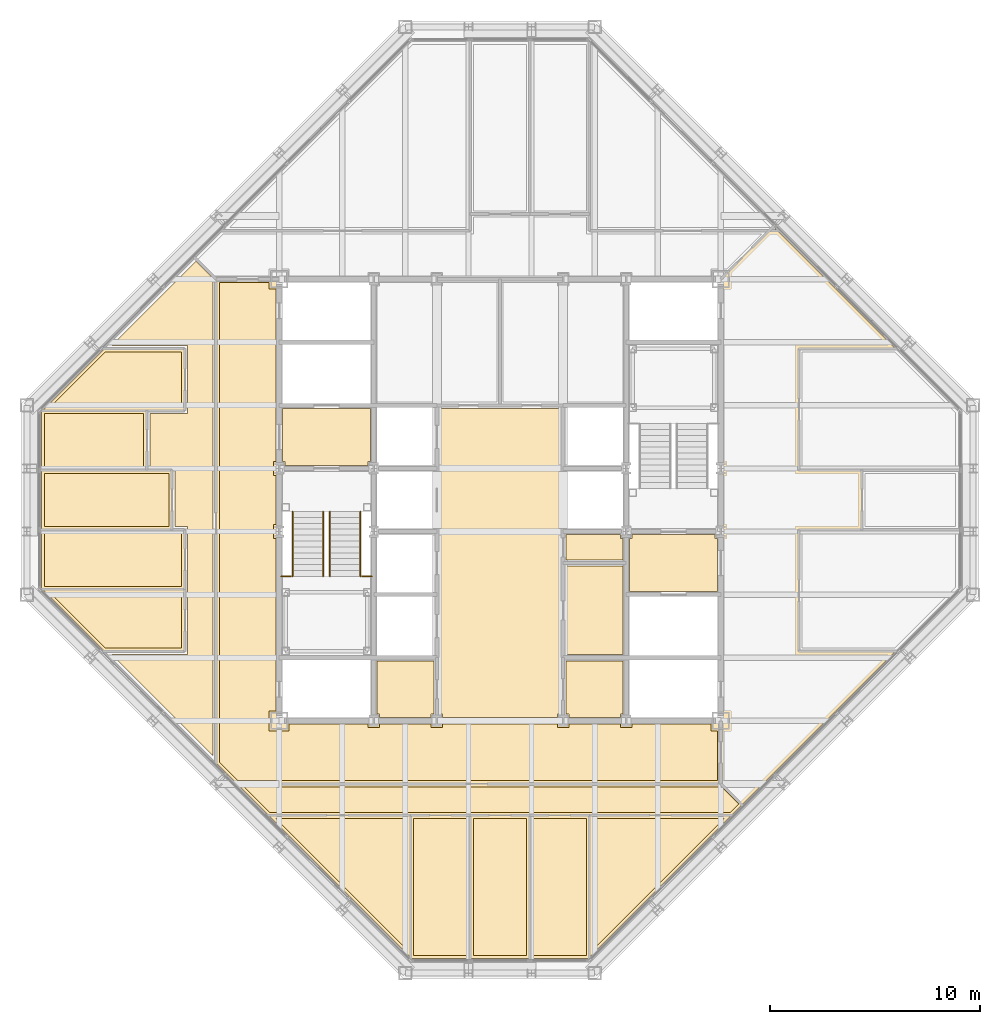
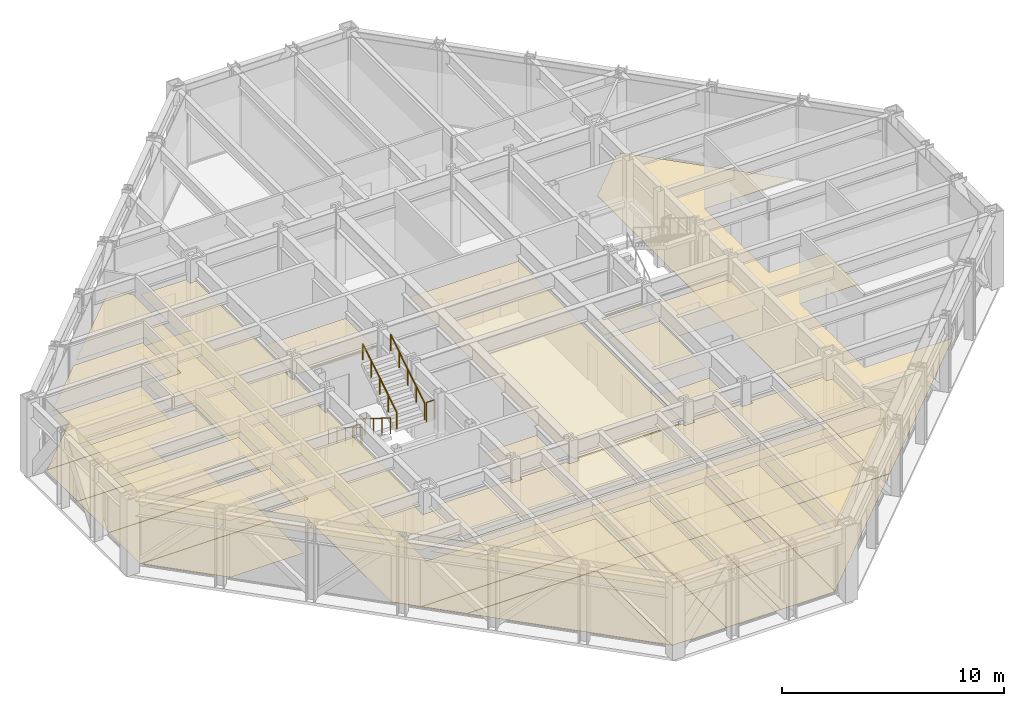
# One storey, part 14 of 15: 32 coverings, 6 railings.
"""IFC4 building model written with IfcOpenShell, lengths in metres."""

from ifc_helpers import new_model, si_unit, direction, frame, origin, origin_2d, place, context, subcontext, project, spatial, polyline, circle, outline, extrude, material, layer, layer_set, type_object, element, save


model = new_model("IFC4")

# Units and contexts
model_context = context("Model", 3, precision=1e-05, world=origin(), true_north=direction((0.0, 1.0)))
body_context = subcontext(model_context, "Body", "Model", "MODEL_VIEW")
ifc_project = project(units=[si_unit("LENGTHUNIT", "METRE"), si_unit("AREAUNIT", "SQUARE_METRE"), si_unit("VOLUMEUNIT", "CUBIC_METRE"), si_unit("PLANEANGLEUNIT", "RADIAN"), si_unit("MASSUNIT", "GRAM", prefix="KILO")], contexts=[model_context])

# Site, building, storey
site_placement = place(None, origin())
site = spatial("IfcSite", under=ifc_project, at=site_placement, CompositionType="ELEMENT")
building_placement = place(site_placement, origin())
building = spatial("IfcBuilding", under=site, at=building_placement, Name="Chuquiago Exchange Tower", CompositionType="ELEMENT")
storey_placement = place(building_placement, frame((0.0, 0.0, 274.800048828125)))
storey = spatial("IfcBuildingStorey", under=building, at=storey_placement, Name="L61", CompositionType="ELEMENT", Elevation=274.800048828125)

# Coverings
ifc_material_1 = material(Name="Mineral fibre tile, 600 x 600, on pale metal grid", Category="mineral fibre")
ifc_layer_1 = layer(ifc_material_1, 0.02001953125)
ifc_layer_set_1 = layer_set([ifc_layer_1], Name="CL1 suspended tile ceiling 20")
covering_type_1 = type_object("IfcCoveringType", Name="CL1 suspended tile ceiling 20", PredefinedType="CEILING", material=ifc_layer_set_1)
covering_1_placement = place(storey_placement, frame((0.0, 0.0, 3.0)))
element("IfcCovering", 1, at=covering_1_placement, inside=storey, type_object=covering_type_1, Name="Ceiling Conference room", PredefinedType="CEILING", context=body_context, shape_type="SweptSolid", body=[
    extrude(outline(polyline([(18.098388671875, 7.35009765625), (18.098388671875, 1.103515625), (11.85205078125, 7.35009765625), (18.098388671875, 7.35009765625)])), origin(), (0.0, 0.0, 1.0), 0.02001953125),
])
covering_2_placement = place(storey_placement, frame((0.0, 0.0, 3.0)))
element("IfcCovering", 2, at=covering_2_placement, inside=storey, type_object=covering_type_1, Name="Ceiling Meeting room", PredefinedType="CEILING", context=body_context, shape_type="SweptSolid", body=[
    extrude(outline(polyline([(18.3984375, 7.35009765625), (20.932861328125, 7.35009765625), (20.932861328125, 0.85009765625), (18.3984375, 0.85009765625), (18.3984375, 7.35009765625)])), origin(), (0.0, 0.0, 1.0), 0.02001953125),
])
covering_3_placement = place(storey_placement, frame((0.0, 0.0, 3.0)))
element("IfcCovering", 3, at=covering_3_placement, inside=storey, type_object=covering_type_1, Name="Ceiling Meeting room", PredefinedType="CEILING", context=body_context, shape_type="SweptSolid", body=[
    extrude(outline(polyline([(21.23291015625, 7.35009765625), (23.76708984375, 7.35009765625), (23.76708984375, 0.85009765625), (21.23291015625, 0.85009765625), (21.23291015625, 7.35009765625)])), origin(), (0.0, 0.0, 1.0), 0.02001953125),
])
covering_4_placement = place(storey_placement, frame((0.0, 0.0, 3.0)))
element("IfcCovering", 4, at=covering_4_placement, inside=storey, type_object=covering_type_1, Name="Ceiling Meeting room", PredefinedType="CEILING", context=body_context, shape_type="SweptSolid", body=[
    extrude(outline(polyline([(24.067138671875, 0.85009765625), (24.067138671875, 7.35009765625), (26.6015625, 7.35009765625), (26.6015625, 0.85009765625), (24.067138671875, 0.85009765625)])), origin(), (0.0, 0.0, 1.0), 0.02001953125),
])
covering_5_placement = place(storey_placement, frame((0.0, 0.0, 3.0)))
element("IfcCovering", 5, at=covering_5_placement, inside=storey, type_object=covering_type_1, Name="Ceiling Conference room", PredefinedType="CEILING", context=body_context, shape_type="SweptSolid", body=[
    extrude(outline(polyline([(26.901611328125, 7.35009765625), (33.14794921875, 7.35009765625), (26.901611328125, 1.103515625), (26.901611328125, 7.35009765625)])), origin(), (0.0, 0.0, 1.0), 0.02001953125),
])
covering_6_placement = place(storey_placement, frame((0.0, 0.0, 3.0)))
element("IfcCovering", 6, at=covering_6_placement, inside=storey, type_object=covering_type_1, Name="Ceiling Office", PredefinedType="CEILING", context=body_context, shape_type="SweptSolid", body=[
    extrude(outline(polyline([(7.35009765625, 18.098388671875), (7.35009765625, 15.45703125), (3.744873046875, 15.45703125), (1.103515625, 18.098388671875), (7.35009765625, 18.098388671875)])), origin(), (0.0, 0.0, 1.0), 0.02001953125),
])
covering_7_placement = place(storey_placement, frame((0.0, 0.0, 3.0)))
element("IfcCovering", 7, at=covering_7_placement, inside=storey, type_object=covering_type_1, Name="Ceiling Office", PredefinedType="CEILING", context=body_context, shape_type="SweptSolid", body=[
    extrude(outline(polyline([(0.85009765625, 20.932861328125), (7.35009765625, 20.932861328125), (7.35009765625, 18.3984375), (0.85009765625, 18.3984375), (0.85009765625, 20.932861328125)])), origin(), (0.0, 0.0, 1.0), 0.02001953125),
])
covering_8_placement = place(storey_placement, frame((0.0, 0.0, 3.0)))
element("IfcCovering", 8, at=covering_8_placement, inside=storey, type_object=covering_type_1, Name="Ceiling Pantry", PredefinedType="CEILING", context=body_context, shape_type="SweptSolid", body=[
    extrude(outline(polyline([(6.75, 23.76708984375), (6.75, 21.23291015625), (0.85009765625, 21.23291015625), (0.85009765625, 23.76708984375), (6.75, 23.76708984375)])), origin(), (0.0, 0.0, 1.0), 0.02001953125),
])
covering_9_placement = place(storey_placement, frame((0.0, 0.0, 3.0)))
element("IfcCovering", 9, at=covering_9_placement, inside=storey, type_object=covering_type_1, Name="Ceiling Focus room", PredefinedType="CEILING", context=body_context, shape_type="SweptSolid", body=[
    extrude(outline(polyline([(5.550048828125, 26.6015625), (5.550048828125, 24.067138671875), (0.85009765625, 24.067138671875), (0.85009765625, 26.6015625), (5.550048828125, 26.6015625)])), origin(), (0.0, 0.0, 1.0), 0.02001953125),
])
covering_10_placement = place(storey_placement, frame((0.0, 0.0, 3.0)))
element("IfcCovering", 10, at=covering_10_placement, inside=storey, type_object=covering_type_1, Name="Ceiling Meeting room", PredefinedType="CEILING", context=body_context, shape_type="SweptSolid", body=[
    extrude(outline(polyline([(7.35009765625, 29.54296875), (7.35009765625, 26.901611328125), (1.103515625, 26.901611328125), (3.744873046875, 29.54296875), (7.35009765625, 29.54296875)])), origin(), (0.0, 0.0, 1.0), 0.02001953125),
])
covering_11_placement = place(storey_placement, frame((0.0, 0.0, 3.0)))
element("IfcCovering", 11, at=covering_11_placement, inside=storey, type_object=covering_type_1, Name="Ceiling Executive corridor", PredefinedType="CEILING", context=body_context, shape_type="SweptSolid", body=[
    extrude(outline(polyline([(9.14990234375, 32.85009765625), (11.52490234375, 32.85009765625), (11.52490234375, 32.52490234375), (11.85009765625, 32.52490234375), (11.85009765625, 24.32421875), (11.72509765625, 24.32421875), (11.72509765625, 23.67578125), (11.85009765625, 23.67578125), (11.85009765625, 21.32421875), (11.72509765625, 21.32421875), (11.72509765625, 20.67578125), (11.85009765625, 20.67578125), (11.85009765625, 12.47509765625), (11.52490234375, 12.47509765625), (11.52490234375, 11.52490234375), (12.47509765625, 11.52490234375), (12.47509765625, 11.85009765625), (16.22509765625, 11.85009765625), (16.22509765625, 11.67578125), (16.77490234375, 11.67578125), (16.77490234375, 11.85009765625), (19.22509765625, 11.85009765625), (19.22509765625, 11.67578125), (19.77490234375, 11.67578125), (19.77490234375, 11.85009765625), (25.22509765625, 11.85009765625), (25.22509765625, 11.67578125), (25.77490234375, 11.67578125), (25.77490234375, 11.85009765625), (28.22509765625, 11.85009765625), (28.22509765625, 11.67578125), (28.77490234375, 11.67578125), (28.77490234375, 11.85009765625), (32.52490234375, 11.85009765625), (32.52490234375, 11.52490234375), (32.85009765625, 11.52490234375), (32.85009765625, 9.14990234375), (10.052001953125, 9.14990234375), (9.14990234375, 10.052001953125), (9.14990234375, 32.85009765625)])), origin(), (0.0, 0.0, 1.0), 0.02001953125),
])
covering_12_placement = place(storey_placement, frame((0.0, 0.0, 3.0)))
element("IfcCovering", 12, at=covering_12_placement, inside=storey, type_object=covering_type_1, Name="Ceiling Executive reception east", PredefinedType="CEILING", context=body_context, shape_type="SweptSolid", body=[
    extrude(outline(polyline([(10.35205078125, 8.85009765625), (33.051025390625, 8.85009765625), (33.849609375, 8.051513671875), (33.447998046875, 7.64990234375), (11.552001953125, 7.64990234375), (10.35205078125, 8.85009765625)])), origin(), (0.0, 0.0, 1.0), 0.02001953125),
])
covering_13_placement = place(storey_placement, frame((0.0, 0.0, 3.0)))
element("IfcCovering", 13, at=covering_13_placement, inside=storey, type_object=covering_type_1, Name="Ceiling Executive reception west", PredefinedType="CEILING", context=body_context, shape_type="SweptSolid", body=[
    extrude(outline(polyline([(8.051513671875, 33.849609375), (8.85009765625, 33.051025390625), (8.85009765625, 10.35205078125), (4.044921875, 15.156982421875), (7.64990234375, 15.156982421875), (7.64990234375, 21.23291015625), (7.050048828125, 21.23291015625), (7.050048828125, 24.067138671875), (5.85009765625, 24.067138671875), (5.85009765625, 26.6015625), (7.64990234375, 26.6015625), (7.64990234375, 29.843017578125), (4.044921875, 29.843017578125), (8.051513671875, 33.849609375)])), origin(), (0.0, 0.0, 1.0), 0.02001953125),
])
covering_14_placement = place(storey_placement, frame((0.0, 0.0, 3.0)))
element("IfcCovering", 14, at=covering_14_placement, inside=storey, type_object=covering_type_1, Name="Ceiling Catering store", PredefinedType="CEILING", context=body_context, shape_type="SweptSolid", body=[
    extrude(outline(polyline([(25.64990234375, 15.14990234375), (25.64990234375, 19.35009765625), (28.35009765625, 19.35009765625), (28.35009765625, 15.14990234375), (25.64990234375, 15.14990234375)])), origin(), (0.0, 0.0, 1.0), 0.02001953125),
])
covering_15_placement = place(storey_placement, frame((0.0, 0.0, 3.0)))
element("IfcCovering", 15, at=covering_15_placement, inside=storey, type_object=covering_type_1, Name="Ceiling Servery", PredefinedType="CEILING", context=body_context, shape_type="SweptSolid", body=[
    extrude(outline(polyline([(25.64990234375, 19.64990234375), (25.64990234375, 20.85009765625), (28.22509765625, 20.85009765625), (28.22509765625, 20.67578125), (28.35009765625, 20.67578125), (28.35009765625, 19.64990234375), (25.64990234375, 19.64990234375)])), origin(), (0.0, 0.0, 1.0), 0.02001953125),
])
ifc_material_2 = material(Name="Moisture resistant plasterboard on metal frame", Category="gypsum")
ifc_layer_2 = layer(ifc_material_2, 0.014892578125)
ifc_layer_set_2 = layer_set([ifc_layer_2], Name="CL2 moisture resistant ceiling 15")
covering_type_2 = type_object("IfcCoveringType", Name="CL2 moisture resistant ceiling 15", PredefinedType="CEILING", material=ifc_layer_set_2)
covering_16_placement = place(storey_placement, frame((0.0, 0.0, 2.599853515625)))
element("IfcCovering", 16, at=covering_16_placement, inside=storey, type_object=covering_type_2, Name="Ceiling Accessible WC", PredefinedType="CEILING", context=body_context, shape_type="SweptSolid", body=[
    extrude(outline(polyline([(25.77490234375, 12.14990234375), (25.77490234375, 12.32421875), (25.64990234375, 12.32421875), (25.64990234375, 14.85009765625), (28.35009765625, 14.85009765625), (28.35009765625, 12.32421875), (28.22509765625, 12.32421875), (28.22509765625, 12.14990234375), (25.77490234375, 12.14990234375)])), origin(), (0.0, 0.0, 1.0), 0.01513671875),
])
covering_17_placement = place(storey_placement, frame((0.0, 0.0, 2.599853515625)))
element("IfcCovering", 17, at=covering_17_placement, inside=storey, type_object=covering_type_2, Name="Ceiling Cleaner", PredefinedType="CEILING", context=body_context, shape_type="SweptSolid", body=[
    extrude(outline(polyline([(16.77490234375, 12.14990234375), (16.77490234375, 12.32421875), (16.64990234375, 12.32421875), (16.64990234375, 14.85009765625), (19.35009765625, 14.85009765625), (19.35009765625, 12.32421875), (19.22509765625, 12.32421875), (19.22509765625, 12.14990234375), (16.77490234375, 12.14990234375)])), origin(), (0.0, 0.0, 1.0), 0.01513671875),
])
ifc_material_3 = material(Name="Pale metal plank ceiling, perforated", Category="aluminium")
ifc_layer_3 = layer(ifc_material_3, 0.030029296875)
ifc_layer_set_3 = layer_set([ifc_layer_3], Name="CL3 metal plank ceiling 30")
covering_type_3 = type_object("IfcCoveringType", Name="CL3 metal plank ceiling 30", PredefinedType="CEILING", material=ifc_layer_set_3)
covering_18_placement = place(storey_placement, frame((0.0, 0.0, 2.800048828125)))
element("IfcCovering", 18, at=covering_18_placement, inside=storey, type_object=covering_type_3, Name="Ceiling Lift lobby", PredefinedType="CEILING", context=body_context, shape_type="SweptSolid", body=[
    extrude(outline(polyline([(19.77490234375, 12.14990234375), (19.77490234375, 12.32421875), (19.64990234375, 12.32421875), (19.64990234375, 26.85009765625), (25.35009765625, 26.85009765625), (25.35009765625, 12.32421875), (25.22509765625, 12.32421875), (25.22509765625, 12.14990234375), (19.77490234375, 12.14990234375)])), origin(), (0.0, 0.0, 1.0), 0.02978515625),
])
covering_19_placement = place(storey_placement, frame((0.0, 0.0, 2.800048828125)))
element("IfcCovering", 19, at=covering_19_placement, inside=storey, type_object=covering_type_3, Name="Ceiling Firefighting lobby", PredefinedType="CEILING", context=body_context, shape_type="SweptSolid", body=[
    extrude(outline(polyline([(12.27490234375, 24.14990234375), (12.27490234375, 24.32421875), (12.14990234375, 24.32421875), (12.14990234375, 26.85009765625), (16.35009765625, 26.85009765625), (16.35009765625, 24.32421875), (16.22509765625, 24.32421875), (16.22509765625, 24.14990234375), (12.27490234375, 24.14990234375)])), origin(), (0.0, 0.0, 1.0), 0.02978515625),
])
covering_20_placement = place(storey_placement, frame((0.0, 0.0, 2.800048828125)))
element("IfcCovering", 20, at=covering_20_placement, inside=storey, type_object=covering_type_3, Name="Ceiling Firefighting lobby", PredefinedType="CEILING", context=body_context, shape_type="SweptSolid", body=[
    extrude(outline(polyline([(28.64990234375, 18.14990234375), (28.64990234375, 20.67578125), (28.77490234375, 20.67578125), (28.77490234375, 20.85009765625), (32.72509765625, 20.85009765625), (32.72509765625, 20.67578125), (32.85009765625, 20.67578125), (32.85009765625, 18.14990234375), (28.64990234375, 18.14990234375)])), origin(), (0.0, 0.0, 1.0), 0.02978515625),
])
ifc_material_4 = material(Name="Carpet tile, 500 x 500, on the floor slab", Category="textile")
ifc_layer_4 = layer(ifc_material_4, 0.010009765625)
ifc_layer_set_4 = layer_set([ifc_layer_4], Name="FL1 carpet tile 10")
covering_type_4 = type_object("IfcCoveringType", Name="FL1 carpet tile 10", PredefinedType="FLOORING", material=ifc_layer_set_4)
covering_21_placement = place(storey_placement, origin())
element("IfcCovering", 21, at=covering_21_placement, inside=storey, type_object=covering_type_4, Name="Floor finish Conference room", PredefinedType="FLOORING", context=body_context, shape_type="SweptSolid", body=[
    extrude(outline(polyline([(11.489990234375, 7.5), (18.24853515625, 7.5), (18.24853515625, 0.741455078125), (11.489990234375, 7.5)])), origin(), (0.0, 0.0, 1.0), 0.010009765625),
])
covering_22_placement = place(storey_placement, origin())
element("IfcCovering", 22, at=covering_22_placement, inside=storey, type_object=covering_type_4, Name="Floor finish Meeting room", PredefinedType="FLOORING", context=body_context, shape_type="SweptSolid", body=[
    extrude(outline(polyline([(18.289794921875, 0.699951171875), (18.24853515625, 0.741455078125), (18.24853515625, 7.5), (21.082763671875, 7.5), (21.082763671875, 0.699951171875), (18.289794921875, 0.699951171875)])), origin(), (0.0, 0.0, 1.0), 0.010009765625),
])
covering_23_placement = place(storey_placement, origin())
element("IfcCovering", 23, at=covering_23_placement, inside=storey, type_object=covering_type_4, Name="Floor finish Meeting room", PredefinedType="FLOORING", context=body_context, shape_type="SweptSolid", body=[
    extrude(outline(polyline([(21.082763671875, 0.699951171875), (21.082763671875, 7.5), (23.917236328125, 7.5), (23.917236328125, 0.699951171875), (21.082763671875, 0.699951171875)])), origin(), (0.0, 0.0, 1.0), 0.010009765625),
])
covering_24_placement = place(storey_placement, origin())
element("IfcCovering", 24, at=covering_24_placement, inside=storey, type_object=covering_type_4, Name="Floor finish Meeting room", PredefinedType="FLOORING", context=body_context, shape_type="SweptSolid", body=[
    extrude(outline(polyline([(26.710205078125, 0.699951171875), (23.917236328125, 0.699951171875), (23.917236328125, 7.5), (26.75146484375, 7.5), (26.75146484375, 0.741455078125), (26.710205078125, 0.699951171875)])), origin(), (0.0, 0.0, 1.0), 0.010009765625),
])
covering_25_placement = place(storey_placement, origin())
element("IfcCovering", 25, at=covering_25_placement, inside=storey, type_object=covering_type_4, Name="Floor finish Conference room", PredefinedType="FLOORING", context=body_context, shape_type="SweptSolid", body=[
    extrude(outline(polyline([(26.75146484375, 0.741455078125), (26.75146484375, 7.5), (33.510009765625, 7.5), (26.75146484375, 0.741455078125)])), origin(), (0.0, 0.0, 1.0), 0.010009765625),
])
covering_26_placement = place(storey_placement, origin())
element("IfcCovering", 26, at=covering_26_placement, inside=storey, type_object=covering_type_4, Name="Floor finish Office", PredefinedType="FLOORING", context=body_context, shape_type="SweptSolid", body=[
    extrude(outline(polyline([(0.741455078125, 18.24853515625), (7.5, 18.24853515625), (7.5, 15.30712890625), (3.682861328125, 15.30712890625), (0.741455078125, 18.24853515625)])), origin(), (0.0, 0.0, 1.0), 0.010009765625),
])
covering_27_placement = place(storey_placement, origin())
element("IfcCovering", 27, at=covering_27_placement, inside=storey, type_object=covering_type_4, Name="Floor finish Office", PredefinedType="FLOORING", context=body_context, shape_type="SweptSolid", body=[
    extrude(outline(polyline([(0.699951171875, 21.082763671875), (7.5, 21.082763671875), (7.5, 18.24853515625), (0.741455078125, 18.24853515625), (0.699951171875, 18.289794921875), (0.699951171875, 21.082763671875)])), origin(), (0.0, 0.0, 1.0), 0.010009765625),
])
covering_28_placement = place(storey_placement, origin())
element("IfcCovering", 28, at=covering_28_placement, inside=storey, type_object=covering_type_4, Name="Floor finish Focus room", PredefinedType="FLOORING", context=body_context, shape_type="SweptSolid", body=[
    extrude(outline(polyline([(0.699951171875, 26.710205078125), (0.741455078125, 26.75146484375), (5.699951171875, 26.75146484375), (5.699951171875, 23.917236328125), (0.699951171875, 23.917236328125), (0.699951171875, 26.710205078125)])), origin(), (0.0, 0.0, 1.0), 0.010009765625),
])
covering_29_placement = place(storey_placement, origin())
element("IfcCovering", 29, at=covering_29_placement, inside=storey, type_object=covering_type_4, Name="Floor finish Meeting room", PredefinedType="FLOORING", context=body_context, shape_type="SweptSolid", body=[
    extrude(outline(polyline([(3.682861328125, 29.69287109375), (7.5, 29.69287109375), (7.5, 26.75146484375), (0.741455078125, 26.75146484375), (3.682861328125, 29.69287109375)])), origin(), (0.0, 0.0, 1.0), 0.010009765625),
])
ifc_material_5 = material(Name="Porcelain floor tile, 600 x 600, on adhesive bed", Category="ceramic")
ifc_layer_5 = layer(ifc_material_5, 0.014892578125)
ifc_layer_set_5 = layer_set([ifc_layer_5], Name="FL2 porcelain tile 15")
covering_type_5 = type_object("IfcCoveringType", Name="FL2 porcelain tile 15", PredefinedType="FLOORING", material=ifc_layer_set_5)
covering_30_placement = place(storey_placement, origin())
element("IfcCovering", 30, at=covering_30_placement, inside=storey, type_object=covering_type_5, Name="Floor finish Pantry", PredefinedType="FLOORING", context=body_context, shape_type="SweptSolid", body=[
    extrude(outline(polyline([(0.699951171875, 23.917236328125), (6.89990234375, 23.917236328125), (6.89990234375, 21.082763671875), (0.699951171875, 21.082763671875), (0.699951171875, 23.917236328125)])), origin(), (0.0, 0.0, 1.0), 0.014892578125),
])
covering_31_placement = place(storey_placement, origin())
element("IfcCovering", 31, at=covering_31_placement, inside=storey, type_object=covering_type_5, Name="Floor finish Executive corridor", PredefinedType="FLOORING", context=body_context, shape_type="SweptSolid", body=[
    extrude(outline(polyline([(9.0, 9.989990234375), (9.0, 33.0), (12.0, 33.0), (12.0, 12.0), (33.0, 12.0), (33.0, 9.0), (9.989990234375, 9.0), (9.0, 9.989990234375)])), origin(), (0.0, 0.0, 1.0), 0.014892578125),
])
covering_32_placement = place(storey_placement, origin())
element("IfcCovering", 32, at=covering_32_placement, inside=storey, type_object=covering_type_5, Name="Floor finish Executive reception east", PredefinedType="FLOORING", context=body_context, shape_type="SweptSolid", body=[
    extrude(outline(polyline([(35.57568359375, 35.300048828125), (35.57568359375, 35.434326171875), (41.317138671875, 29.69287109375), (36.699951171875, 29.69287109375), (36.699951171875, 23.917236328125), (39.699951171875, 23.917236328125), (39.699951171875, 21.082763671875), (36.699951171875, 21.082763671875), (36.699951171875, 15.30712890625), (41.317138671875, 15.30712890625), (33.510009765625, 7.5), (11.489990234375, 7.5), (18.24853515625, 0.741455078125), (9.989990234375, 9.0), (33.0, 9.0), (33.0, 32.99951171875), (35.30078125, 35.300048828125), (35.57568359375, 35.300048828125)])), origin(), (0.0, 0.0, 1.0), 0.014892578125),
])

# Railings
ifc_material_6 = material(Name="Pale metal guard with safety glass infill", Category="glass")
railing_type_1 = type_object("IfcRailingType", Name="GR1 guard 1100", PredefinedType="GUARDRAIL", material=ifc_material_6)
for number, where, name in (
    (33, (12.10009765625, 18.8701171875, 2.099853515625), "Guard ST1 L61 landing 2"),
    (34, (15.945068359375, 18.8701171875, 2.099853515625), "Guard ST1 L61 landing 2"),
):
    element("IfcRailing", number, at=place(storey_placement, frame(where)), inside=storey, type_object=railing_type_1, Name=name, PredefinedType="GUARDRAIL", context=body_context, shape_type="SweptSolid", body=[
        extrude(circle(Radius=0.02392578125, at=origin_2d()), frame((0.0, 0.0, 1.076171875), z_axis=(1.0, 0.0, 0.0), x_axis=(0.0, 1.0, 0.0)), (0.0, 0.0, 1.0), 0.454833984375),
        extrude(circle(Radius=0.02099609375, at=origin_2d()), origin(), (0.0, 0.0, 1.0), 1.052001953125),
        extrude(circle(Radius=0.02099609375, at=origin_2d()), frame((0.454833984375, 0.0, 0.0)), (0.0, 0.0, 1.0), 1.052001953125),
    ])
ifc_material_7 = material(Name="Pale metal handrail", Category="steel")
railing_type_2 = type_object("IfcRailingType", Name="HR1 handrail 900", PredefinedType="HANDRAIL", material=ifc_material_7)
for number, where, name in (
    (35, (12.635009765625, 21.949951171875, 0.175048828125), "Handrail ST1 L61 flight 1"),
    (36, (14.0849609375, 21.949951171875, 0.175048828125), "Handrail ST1 L61 flight 1"),
):
    element("IfcRailing", number, at=place(storey_placement, frame(where)), inside=storey, type_object=railing_type_2, Name=name, PredefinedType="HANDRAIL", context=body_context, shape_type="SweptSolid", body=[
        extrude(circle(Radius=0.02392578125, at=origin_2d()), frame((0.0, 0.0, 0.8759765625), z_axis=(0.0, -0.848009633417, 0.529980812513), x_axis=(1.0, 0.0, 0.0)), (0.0, 0.0, 1.0), 3.6318359375),
        extrude(circle(Radius=0.02099609375, at=origin_2d()), origin(), (0.0, 0.0, 1.0), 0.851806640625),
        extrude(circle(Radius=0.02099609375, at=origin_2d()), frame((0.0, -0.77001953125, 0.481201171875)), (0.0, 0.0, 1.0), 0.851806640625),
        extrude(circle(Radius=0.02099609375, at=origin_2d()), frame((0.0, -1.5400390625, 0.96240234375)), (0.0, 0.0, 1.0), 0.851806640625),
        extrude(circle(Radius=0.02099609375, at=origin_2d()), frame((0.0, -2.309814453125, 1.443603515625)), (0.0, 0.0, 1.0), 0.851806640625),
        extrude(circle(Radius=0.02099609375, at=origin_2d()), frame((0.0, -3.079833984375, 1.9248046875)), (0.0, 0.0, 1.0), 0.851806640625),
    ])
for number, where, name in (
    (37, (15.864990234375, 18.8701171875, 2.27490234375), "Handrail ST1 L61 flight 2"),
    (38, (14.4150390625, 18.8701171875, 2.27490234375), "Handrail ST1 L61 flight 2"),
):
    element("IfcRailing", number, at=place(storey_placement, frame(where)), inside=storey, type_object=railing_type_2, Name=name, PredefinedType="HANDRAIL", context=body_context, shape_type="SweptSolid", body=[
        extrude(circle(Radius=0.02392578125, at=origin_2d()), frame((0.0, 0.0, 0.8759765625), z_axis=(0.0, 0.847979421464, 0.530029150871), x_axis=(-1.0, 0.0, 0.0)), (0.0, 0.0, 1.0), 3.632080078125),
        extrude(circle(Radius=0.02099609375, at=origin_2d()), origin(), (0.0, 0.0, 1.0), 0.851806640625),
        extrude(circle(Radius=0.02099609375, at=origin_2d()), frame((0.0, 0.77001953125, 0.481201171875)), (0.0, 0.0, 1.0), 0.851806640625),
        extrude(circle(Radius=0.02099609375, at=origin_2d()), frame((0.0, 1.5400390625, 0.96240234375)), (0.0, 0.0, 1.0), 0.851806640625),
        extrude(circle(Radius=0.02099609375, at=origin_2d()), frame((0.0, 2.309814453125, 1.44384765625)), (0.0, 0.0, 1.0), 0.851806640625),
        extrude(circle(Radius=0.02099609375, at=origin_2d()), frame((0.0, 3.079833984375, 1.925048828125)), (0.0, 0.0, 1.0), 0.851806640625),
    ])

save(model, "model.ifc")
